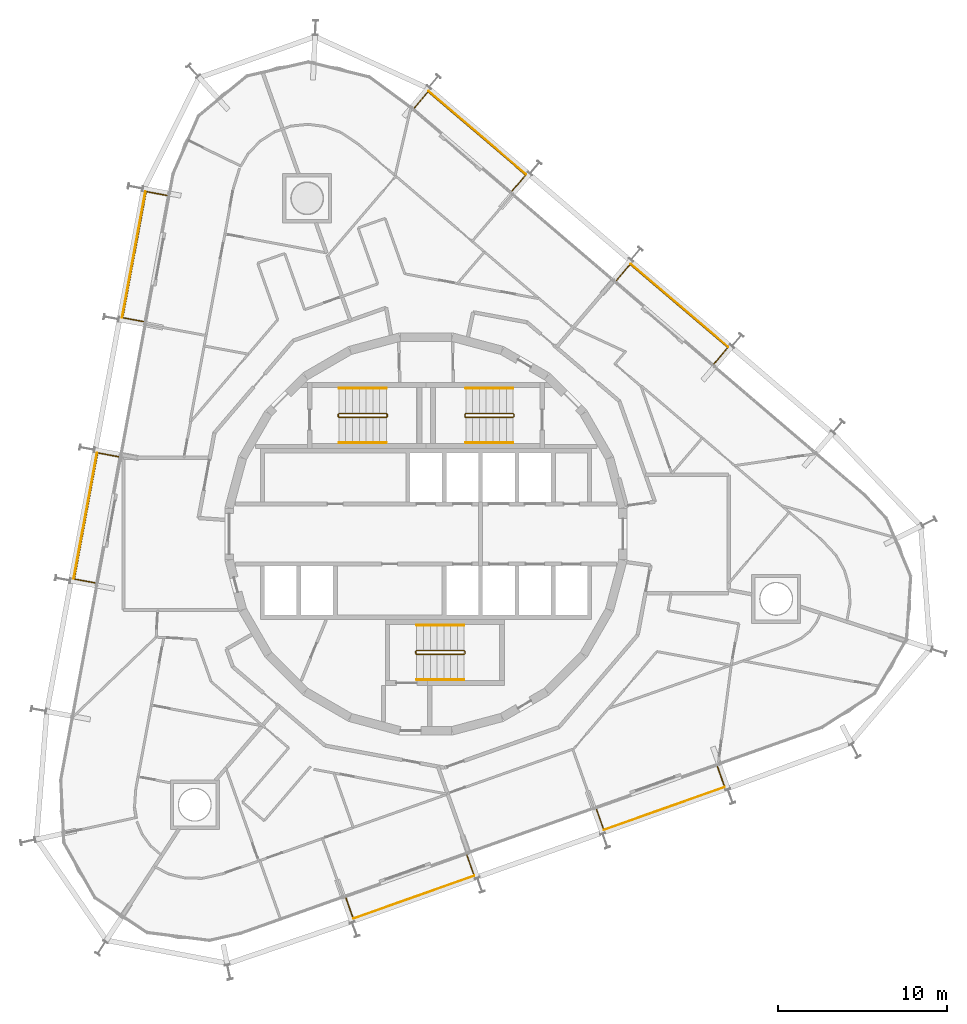
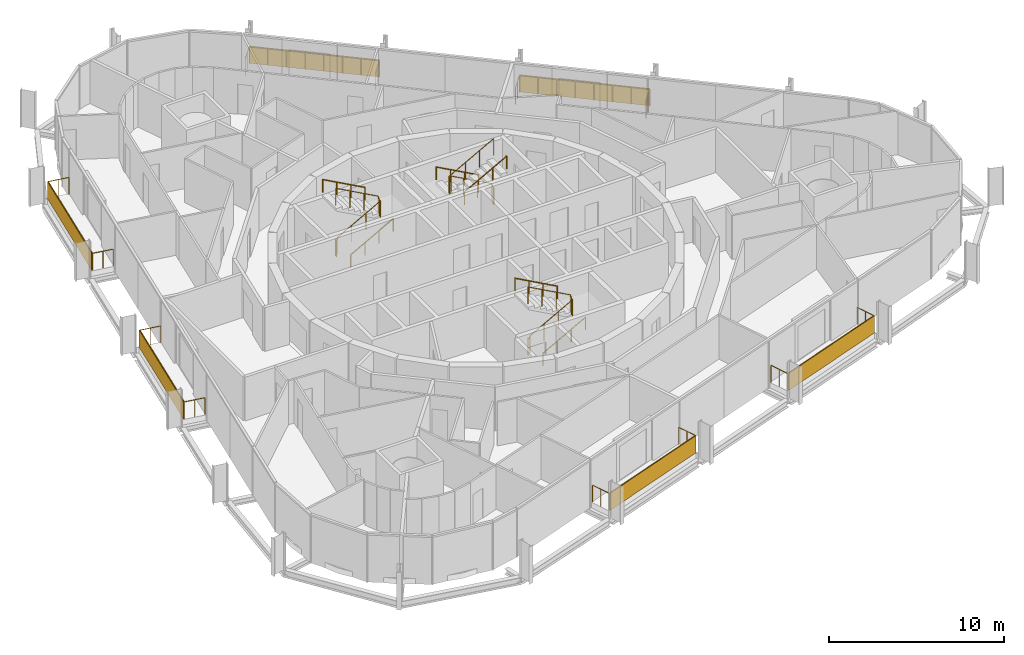
# One storey, part 17 of 17: 15 railings, 6 shading devices.
"""IFC4 building model written with IfcOpenShell, lengths in metres."""

from ifc_helpers import new_model, si_unit, direction, frame, origin, origin_2d, place, context, subcontext, project, spatial, rectangle, circle, extrude, material, layer, layer_set, type_object, element, save


model = new_model("IFC4")

# Units and contexts
model_context = context("Model", 3, precision=1e-05, world=origin(), true_north=direction((0.0, 1.0)))
body_context = subcontext(model_context, "Body", "Model", "MODEL_VIEW")
ifc_project = project(units=[si_unit("LENGTHUNIT", "METRE"), si_unit("AREAUNIT", "SQUARE_METRE"), si_unit("VOLUMEUNIT", "CUBIC_METRE"), si_unit("PLANEANGLEUNIT", "RADIAN"), si_unit("MASSUNIT", "GRAM", prefix="KILO")], contexts=[model_context])

# Site, building, storey
site_placement = place(None, origin())
site = spatial("IfcSite", under=ifc_project, at=site_placement, CompositionType="ELEMENT")
building_placement = place(site_placement, origin())
building = spatial("IfcBuilding", under=site, at=building_placement, Name="Spindle Arch Residences", CompositionType="ELEMENT")
storey_placement = place(building_placement, frame((0.0, 0.0, 179.699951171875)))
storey = spatial("IfcBuildingStorey", under=building, at=storey_placement, Name="L45", CompositionType="ELEMENT", Elevation=179.699951171875)

# Railings
ifc_material_1 = material(Name="Bronze anodised aluminium guard with glass infill", Category="aluminium")
railing_type_1 = type_object("IfcRailingType", Name="Balcony guard 1200", PredefinedType="GUARDRAIL", material=ifc_material_1)
railing_1_placement = place(storey_placement, frame((10.081787109375, -16.2919921875, 0.0)))
element("IfcRailing", 1, at=railing_1_placement, inside=storey, type_object=railing_type_1, Name="Guard L45 bay 1", PredefinedType="GUARDRAIL", context=body_context, shape_type="SweptSolid", body=[
    extrude(circle(Radius=0.02392578125, at=origin_2d()), frame((0.0, 0.0, 1.17578125), z_axis=(0.333749533427, -0.942661789263, 0.0), x_axis=(0.942661789263, 0.333749533427, 0.0)), (0.0, 0.0, 1.0), 1.250244140625),
    extrude(circle(Radius=0.02392578125, at=origin_2d()), frame((0.417236328125, -1.178466796875, 1.17578125), z_axis=(0.942639455571, 0.333812607313, 0.0), x_axis=(-0.333812607313, 0.942639455571, 0.0)), (0.0, 0.0, 1.0), 7.590087890625),
    extrude(circle(Radius=0.02392578125, at=origin_2d()), frame((7.572021484375, 1.355224609375, 1.17578125), z_axis=(-0.333984527886, 0.942578556478, 0.0), x_axis=(-0.942578556478, -0.333984527886, 0.0)), (0.0, 0.0, 1.0), 1.25),
    extrude(circle(Radius=0.02099609375, at=origin_2d()), origin(), (0.0, 0.0, 1.0), 1.15185546875),
    extrude(circle(Radius=0.02099609375, at=origin_2d()), frame((0.20849609375, -0.58935546875, 0.0)), (0.0, 0.0, 1.0), 1.15185546875),
    extrude(circle(Radius=0.02099609375, at=origin_2d()), frame((0.417236328125, -1.178466796875, 0.0)), (0.0, 0.0, 1.0), 1.15185546875),
    extrude(circle(Radius=0.02099609375, at=origin_2d()), frame((1.439453125, -0.81640625, 0.0)), (0.0, 0.0, 1.0), 1.15185546875),
    extrude(circle(Radius=0.02099609375, at=origin_2d()), frame((2.46142578125, -0.45458984375, 0.0)), (0.0, 0.0, 1.0), 1.15185546875),
    extrude(circle(Radius=0.02099609375, at=origin_2d()), frame((3.483642578125, -0.092529296875, 0.0)), (0.0, 0.0, 1.0), 1.15185546875),
    extrude(circle(Radius=0.02099609375, at=origin_2d()), frame((4.505615234375, 0.269287109375, 0.0)), (0.0, 0.0, 1.0), 1.15185546875),
    extrude(circle(Radius=0.02099609375, at=origin_2d()), frame((5.52783203125, 0.63134765625, 0.0)), (0.0, 0.0, 1.0), 1.15185546875),
    extrude(circle(Radius=0.02099609375, at=origin_2d()), frame((6.5498046875, 0.9931640625, 0.0)), (0.0, 0.0, 1.0), 1.15185546875),
    extrude(circle(Radius=0.02099609375, at=origin_2d()), frame((7.572021484375, 1.355224609375, 0.0)), (0.0, 0.0, 1.0), 1.15185546875),
    extrude(circle(Radius=0.02099609375, at=origin_2d()), frame((7.36328125, 1.9443359375, 0.0)), (0.0, 0.0, 1.0), 1.15185546875),
    extrude(circle(Radius=0.02099609375, at=origin_2d()), frame((7.154541015625, 2.533447265625, 0.0)), (0.0, 0.0, 1.0), 1.15185546875),
])
railing_2_placement = place(storey_placement, frame((17.03759765625, 10.07080078125, 0.0)))
element("IfcRailing", 2, at=railing_2_placement, inside=storey, type_object=railing_type_1, Name="Guard L45 bay 7", PredefinedType="GUARDRAIL", context=body_context, shape_type="SweptSolid", body=[
    extrude(circle(Radius=0.02392578125, at=origin_2d()), frame((0.0, 0.0, 1.17578125), z_axis=(0.64945526422, 0.760399802589, 0.0), x_axis=(-0.760399802589, 0.64945526422, 0.0)), (0.0, 0.0, 1.0), 1.25),
    extrude(circle(Radius=0.02392578125, at=origin_2d()), frame((0.811767578125, 0.950439453125, 1.17578125), z_axis=(-0.760397505333, 0.649457953899, 0.0), x_axis=(-0.649457953899, -0.760397505333, 0.0)), (0.0, 0.0, 1.0), 7.590087890625),
    extrude(circle(Radius=0.02392578125, at=origin_2d()), frame((-4.959716796875, 5.8798828125, 1.17578125), z_axis=(-0.64945526422, -0.760399802589, 0.0), x_axis=(0.760399802589, -0.64945526422, 0.0)), (0.0, 0.0, 1.0), 1.25),
    extrude(circle(Radius=0.02099609375, at=origin_2d()), origin(), (0.0, 0.0, 1.0), 1.15185546875),
    extrude(circle(Radius=0.02099609375, at=origin_2d()), frame((0.40576171875, 0.47509765625, 0.0)), (0.0, 0.0, 1.0), 1.15185546875),
    extrude(circle(Radius=0.02099609375, at=origin_2d()), frame((0.811767578125, 0.950439453125, 0.0)), (0.0, 0.0, 1.0), 1.15185546875),
    extrude(circle(Radius=0.02099609375, at=origin_2d()), frame((-0.0126953125, 1.654541015625, 0.0)), (0.0, 0.0, 1.0), 1.15185546875),
    extrude(circle(Radius=0.02099609375, at=origin_2d()), frame((-0.837158203125, 2.35888671875, 0.0)), (0.0, 0.0, 1.0), 1.15185546875),
    extrude(circle(Radius=0.02099609375, at=origin_2d()), frame((-1.66162109375, 3.06298828125, 0.0)), (0.0, 0.0, 1.0), 1.15185546875),
    extrude(circle(Radius=0.02099609375, at=origin_2d()), frame((-2.486328125, 3.767333984375, 0.0)), (0.0, 0.0, 1.0), 1.15185546875),
    extrude(circle(Radius=0.02099609375, at=origin_2d()), frame((-3.310791015625, 4.471435546875, 0.0)), (0.0, 0.0, 1.0), 1.15185546875),
    extrude(circle(Radius=0.02099609375, at=origin_2d()), frame((-4.13525390625, 5.17578125, 0.0)), (0.0, 0.0, 1.0), 1.15185546875),
    extrude(circle(Radius=0.02099609375, at=origin_2d()), frame((-4.959716796875, 5.8798828125, 0.0)), (0.0, 0.0, 1.0), 1.15185546875),
    extrude(circle(Radius=0.02099609375, at=origin_2d()), frame((-5.36572265625, 5.40478515625, 0.0)), (0.0, 0.0, 1.0), 1.15185546875),
    extrude(circle(Radius=0.02099609375, at=origin_2d()), frame((-5.771484375, 4.929443359375, 0.0)), (0.0, 0.0, 1.0), 1.15185546875),
])
railing_3_placement = place(storey_placement, frame((5.083984375, 20.2802734375, 0.0)))
element("IfcRailing", 3, at=railing_3_placement, inside=storey, type_object=railing_type_1, Name="Guard L45 bay 9", PredefinedType="GUARDRAIL", context=body_context, shape_type="SweptSolid", body=[
    extrude(circle(Radius=0.02392578125, at=origin_2d()), frame((0.0, 0.0, 1.17578125), z_axis=(0.64945526422, 0.760399802589, 0.0), x_axis=(-0.760399802589, 0.64945526422, 0.0)), (0.0, 0.0, 1.0), 1.25),
    extrude(circle(Radius=0.02392578125, at=origin_2d()), frame((0.811767578125, 0.950439453125, 1.17578125), z_axis=(-0.760397505333, 0.649457953899, 0.0), x_axis=(-0.649457953899, -0.760397505333, 0.0)), (0.0, 0.0, 1.0), 7.590087890625),
    extrude(circle(Radius=0.02392578125, at=origin_2d()), frame((-4.959716796875, 5.8798828125, 1.17578125), z_axis=(-0.649358812972, -0.760482170741, 0.0), x_axis=(0.760482170741, -0.649358812972, 0.0)), (0.0, 0.0, 1.0), 1.25),
    extrude(circle(Radius=0.02099609375, at=origin_2d()), origin(), (0.0, 0.0, 1.0), 1.15185546875),
    extrude(circle(Radius=0.02099609375, at=origin_2d()), frame((0.40576171875, 0.47509765625, 0.0)), (0.0, 0.0, 1.0), 1.15185546875),
    extrude(circle(Radius=0.02099609375, at=origin_2d()), frame((0.811767578125, 0.950439453125, 0.0)), (0.0, 0.0, 1.0), 1.15185546875),
    extrude(circle(Radius=0.02099609375, at=origin_2d()), frame((-0.0126953125, 1.654541015625, 0.0)), (0.0, 0.0, 1.0), 1.15185546875),
    extrude(circle(Radius=0.02099609375, at=origin_2d()), frame((-0.837158203125, 2.35888671875, 0.0)), (0.0, 0.0, 1.0), 1.15185546875),
    extrude(circle(Radius=0.02099609375, at=origin_2d()), frame((-1.66162109375, 3.06298828125, 0.0)), (0.0, 0.0, 1.0), 1.15185546875),
    extrude(circle(Radius=0.02099609375, at=origin_2d()), frame((-2.486328125, 3.767333984375, 0.0)), (0.0, 0.0, 1.0), 1.15185546875),
    extrude(circle(Radius=0.02099609375, at=origin_2d()), frame((-3.310791015625, 4.471435546875, 0.0)), (0.0, 0.0, 1.0), 1.15185546875),
    extrude(circle(Radius=0.02099609375, at=origin_2d()), frame((-4.13525390625, 5.17578125, 0.0)), (0.0, 0.0, 1.0), 1.15185546875),
    extrude(circle(Radius=0.02099609375, at=origin_2d()), frame((-4.959716796875, 5.8798828125, 0.0)), (0.0, 0.0, 1.0), 1.15185546875),
    extrude(circle(Radius=0.02099609375, at=origin_2d()), frame((-5.36572265625, 5.404541015625, 0.0)), (0.0, 0.0, 1.0), 1.15185546875),
    extrude(circle(Radius=0.02099609375, at=origin_2d()), frame((-5.771484375, 4.92919921875, 0.0)), (0.0, 0.0, 1.0), 1.15185546875),
])
railing_4_placement = place(storey_placement, frame((-15.33056640625, 20.024169921875, 0.0)))
element("IfcRailing", 4, at=railing_4_placement, inside=storey, type_object=railing_type_1, Name="Guard L45 bay 13", PredefinedType="GUARDRAIL", context=body_context, shape_type="SweptSolid", body=[
    extrude(circle(Radius=0.02392578125, at=origin_2d()), frame((0.0, 0.0, 1.17578125), z_axis=(-0.983254793894, 0.182236138797, 0.0), x_axis=(-0.182236138797, -0.983254793894, 0.0)), (0.0, 0.0, 1.0), 1.25),
    extrude(circle(Radius=0.02392578125, at=origin_2d()), frame((-1.22900390625, 0.227783203125, 1.17578125), z_axis=(-0.182252818169, -0.983251702398, 0.0), x_axis=(0.983251702398, -0.182252818169, 0.0)), (0.0, 0.0, 1.0), 7.590087890625),
    extrude(circle(Radius=0.02392578125, at=origin_2d()), frame((-2.6123046875, -7.235107421875, 1.17578125), z_axis=(0.983261278697, -0.182201146579, 0.0), x_axis=(0.182201146579, 0.983261278697, 0.0)), (0.0, 0.0, 1.0), 1.250244140625),
    extrude(circle(Radius=0.02099609375, at=origin_2d()), origin(), (0.0, 0.0, 1.0), 1.15185546875),
    extrude(circle(Radius=0.02099609375, at=origin_2d()), frame((-0.614501953125, 0.11376953125, 0.0)), (0.0, 0.0, 1.0), 1.15185546875),
    extrude(circle(Radius=0.02099609375, at=origin_2d()), frame((-1.22900390625, 0.227783203125, 0.0)), (0.0, 0.0, 1.0), 1.15185546875),
    extrude(circle(Radius=0.02099609375, at=origin_2d()), frame((-1.426513671875, -0.83837890625, 0.0)), (0.0, 0.0, 1.0), 1.15185546875),
    extrude(circle(Radius=0.02099609375, at=origin_2d()), frame((-1.624267578125, -1.904541015625, 0.0)), (0.0, 0.0, 1.0), 1.15185546875),
    extrude(circle(Radius=0.02099609375, at=origin_2d()), frame((-1.82177734375, -2.970703125, 0.0)), (0.0, 0.0, 1.0), 1.15185546875),
    extrude(circle(Radius=0.02099609375, at=origin_2d()), frame((-2.01953125, -4.03662109375, 0.0)), (0.0, 0.0, 1.0), 1.15185546875),
    extrude(circle(Radius=0.02099609375, at=origin_2d()), frame((-2.217041015625, -5.102783203125, 0.0)), (0.0, 0.0, 1.0), 1.15185546875),
    extrude(circle(Radius=0.02099609375, at=origin_2d()), frame((-2.414794921875, -6.1689453125, 0.0)), (0.0, 0.0, 1.0), 1.15185546875),
    extrude(circle(Radius=0.02099609375, at=origin_2d()), frame((-2.6123046875, -7.235107421875, 0.0)), (0.0, 0.0, 1.0), 1.15185546875),
    extrude(circle(Radius=0.02099609375, at=origin_2d()), frame((-1.99755859375, -7.34912109375, 0.0)), (0.0, 0.0, 1.0), 1.15185546875),
    extrude(circle(Radius=0.02099609375, at=origin_2d()), frame((-1.383056640625, -7.462890625, 0.0)), (0.0, 0.0, 1.0), 1.15185546875),
])
railing_5_placement = place(storey_placement, frame((-18.1953125, 4.5673828125, 0.0)))
element("IfcRailing", 5, at=railing_5_placement, inside=storey, type_object=railing_type_1, Name="Guard L45 bay 15", PredefinedType="GUARDRAIL", context=body_context, shape_type="SweptSolid", body=[
    extrude(circle(Radius=0.02392578125, at=origin_2d()), frame((0.0, 0.0, 1.17578125), z_axis=(-0.983254793894, 0.182236138797, 0.0), x_axis=(-0.182236138797, -0.983254793894, 0.0)), (0.0, 0.0, 1.0), 1.25),
    extrude(circle(Radius=0.02392578125, at=origin_2d()), frame((-1.22900390625, 0.227783203125, 1.17578125), z_axis=(-0.18224705418, -0.983252770778, 0.0), x_axis=(0.983252770778, -0.18224705418, 0.0)), (0.0, 0.0, 1.0), 7.59033203125),
    extrude(circle(Radius=0.02392578125, at=origin_2d()), frame((-2.6123046875, -7.2353515625, 1.17578125), z_axis=(0.983261278697, -0.182201146579, 0.0), x_axis=(0.182201146579, 0.983261278697, 0.0)), (0.0, 0.0, 1.0), 1.250244140625),
    extrude(circle(Radius=0.02099609375, at=origin_2d()), origin(), (0.0, 0.0, 1.0), 1.15185546875),
    extrude(circle(Radius=0.02099609375, at=origin_2d()), frame((-0.614501953125, 0.11376953125, 0.0)), (0.0, 0.0, 1.0), 1.15185546875),
    extrude(circle(Radius=0.02099609375, at=origin_2d()), frame((-1.22900390625, 0.227783203125, 0.0)), (0.0, 0.0, 1.0), 1.15185546875),
    extrude(circle(Radius=0.02099609375, at=origin_2d()), frame((-1.426513671875, -0.83837890625, 0.0)), (0.0, 0.0, 1.0), 1.15185546875),
    extrude(circle(Radius=0.02099609375, at=origin_2d()), frame((-1.624267578125, -1.904541015625, 0.0)), (0.0, 0.0, 1.0), 1.15185546875),
    extrude(circle(Radius=0.02099609375, at=origin_2d()), frame((-1.82177734375, -2.970703125, 0.0)), (0.0, 0.0, 1.0), 1.15185546875),
    extrude(circle(Radius=0.02099609375, at=origin_2d()), frame((-2.01953125, -4.036865234375, 0.0)), (0.0, 0.0, 1.0), 1.15185546875),
    extrude(circle(Radius=0.02099609375, at=origin_2d()), frame((-2.217041015625, -5.10302734375, 0.0)), (0.0, 0.0, 1.0), 1.15185546875),
    extrude(circle(Radius=0.02099609375, at=origin_2d()), frame((-2.414794921875, -6.169189453125, 0.0)), (0.0, 0.0, 1.0), 1.15185546875),
    extrude(circle(Radius=0.02099609375, at=origin_2d()), frame((-2.6123046875, -7.2353515625, 0.0)), (0.0, 0.0, 1.0), 1.15185546875),
    extrude(circle(Radius=0.02099609375, at=origin_2d()), frame((-1.99755859375, -7.34912109375, 0.0)), (0.0, 0.0, 1.0), 1.15185546875),
    extrude(circle(Radius=0.02099609375, at=origin_2d()), frame((-1.383056640625, -7.463134765625, 0.0)), (0.0, 0.0, 1.0), 1.15185546875),
])
railing_6_placement = place(storey_placement, frame((-4.73681640625, -21.53955078125, 0.0)))
element("IfcRailing", 6, at=railing_6_placement, inside=storey, type_object=railing_type_1, Name="Guard L45 bay 21", PredefinedType="GUARDRAIL", context=body_context, shape_type="SweptSolid", body=[
    extrude(circle(Radius=0.02392578125, at=origin_2d()), frame((0.0, 0.0, 1.17578125), z_axis=(0.333810984592, -0.942640030216, 0.0), x_axis=(0.942640030216, 0.333810984592, 0.0)), (0.0, 0.0, 1.0), 1.25),
    extrude(circle(Radius=0.02392578125, at=origin_2d()), frame((0.417236328125, -1.17822265625, 1.17578125), z_axis=(0.942649576572, 0.333784025663, 0.0), x_axis=(-0.333784025663, 0.942649576572, 0.0)), (0.0, 0.0, 1.0), 7.590087890625),
    extrude(circle(Radius=0.02392578125, at=origin_2d()), frame((7.572021484375, 1.355224609375, 1.17578125), z_axis=(-0.333749533427, 0.942661789263, 0.0), x_axis=(-0.942661789263, -0.333749533427, 0.0)), (0.0, 0.0, 1.0), 1.250244140625),
    extrude(circle(Radius=0.02099609375, at=origin_2d()), origin(), (0.0, 0.0, 1.0), 1.15185546875),
    extrude(circle(Radius=0.02099609375, at=origin_2d()), frame((0.20849609375, -0.589111328125, 0.0)), (0.0, 0.0, 1.0), 1.15185546875),
    extrude(circle(Radius=0.02099609375, at=origin_2d()), frame((0.417236328125, -1.17822265625, 0.0)), (0.0, 0.0, 1.0), 1.15185546875),
    extrude(circle(Radius=0.02099609375, at=origin_2d()), frame((1.439453125, -0.81640625, 0.0)), (0.0, 0.0, 1.0), 1.15185546875),
    extrude(circle(Radius=0.02099609375, at=origin_2d()), frame((2.46142578125, -0.454345703125, 0.0)), (0.0, 0.0, 1.0), 1.15185546875),
    extrude(circle(Radius=0.02099609375, at=origin_2d()), frame((3.483642578125, -0.092529296875, 0.0)), (0.0, 0.0, 1.0), 1.15185546875),
    extrude(circle(Radius=0.02099609375, at=origin_2d()), frame((4.505615234375, 0.26953125, 0.0)), (0.0, 0.0, 1.0), 1.15185546875),
    extrude(circle(Radius=0.02099609375, at=origin_2d()), frame((5.52783203125, 0.63134765625, 0.0)), (0.0, 0.0, 1.0), 1.15185546875),
    extrude(circle(Radius=0.02099609375, at=origin_2d()), frame((6.5498046875, 0.993408203125, 0.0)), (0.0, 0.0, 1.0), 1.15185546875),
    extrude(circle(Radius=0.02099609375, at=origin_2d()), frame((7.572021484375, 1.355224609375, 0.0)), (0.0, 0.0, 1.0), 1.15185546875),
    extrude(circle(Radius=0.02099609375, at=origin_2d()), frame((7.36328125, 1.9443359375, 0.0)), (0.0, 0.0, 1.0), 1.15185546875),
    extrude(circle(Radius=0.02099609375, at=origin_2d()), frame((7.15478515625, 2.53369140625, 0.0)), (0.0, 0.0, 1.0), 1.15185546875),
])

# Shading devices
ifc_material_2 = material(Name="Bronze perforated cobogo screen")
ifc_layer = layer(ifc_material_2, 0.0390625)
ifc_layer_set = layer_set([ifc_layer], Name="Cobogo screen 1200")
shading_device_type = type_object("IfcShadingDeviceType", Name="Cobogo screen 1200", PredefinedType="USERDEFINED", material=ifc_layer_set)
for number, where, z_axis, x_axis, name in (
    (7, (14.08984375, -16.24169921875, 0.0), (0.0, 0.0, 1.0), (0.942641491092, 0.333806859234, 0.0), "Cobogo screen L45 bay 1"),
    (8, (14.989990234375, 13.516845703125, 0.0), (0.0, 0.0, 1.0), (-0.7604059656, 0.64944804833, 0.0), "Cobogo screen L45 bay 7"),
    (9, (3.036376953125, 23.726318359375, 0.0), (0.0, 0.0, 1.0), (-0.7604059656, 0.64944804833, 0.0), "Cobogo screen L45 bay 9"),
    (10, (-17.291015625, 16.52783203125, 0.0), (0.0, 0.0, 1.0), (-0.182235525492, -0.983254907564, 0.0), "Cobogo screen L45 bay 13"),
    (11, (-20.15576171875, 1.071044921875, 0.0), (0.0, 0.0, 1.0), (-0.182235525492, -0.983254907564, 0.0), "Cobogo screen L45 bay 15"),
    (12, (-0.728515625, -21.4892578125, 0.0), (0.0, 0.0, 1.0), (0.942641491092, 0.333806859234, 0.0), "Cobogo screen L45 bay 21"),
):
    element("IfcShadingDevice", number, at=place(storey_placement, frame(where, z_axis=z_axis, x_axis=x_axis)), inside=storey, type_object=shading_device_type, Name=name, ObjectType="SCREEN", PredefinedType="USERDEFINED", context=body_context, shape_type="SweptSolid", body=[
        extrude(rectangle(XDim=7.590087890625, YDim=0.0390625, at=origin_2d()), origin(), (0.0, 0.0, 1.0), 1.199951171875),
    ])

# Railings
ifc_material_3 = material(Name="Steel, painted", Category="steel")
railing_type_2 = type_object("IfcRailingType", Name="Stair guard 1100", PredefinedType="GUARDRAIL", material=ifc_material_3)
railing_7_placement = place(storey_placement, frame((5.14990234375, 6.89990234375, 3.5)))
element("IfcRailing", 13, at=railing_7_placement, inside=storey, type_object=railing_type_2, Name="L45 ST1 stair guard 1", PredefinedType="GUARDRAIL", context=body_context, shape_type="SweptSolid", body=[
    extrude(circle(Radius=0.02392578125, at=origin_2d()), frame((0.0, 0.0, 1.17578125), z_axis=(-0.877357048833, 0.0, -0.479838106931), x_axis=(0.0, -1.0, 0.0)), (0.0, 0.0, 1.0), 3.191162109375),
    extrude(circle(Radius=0.02392578125, at=origin_2d()), frame((-2.7998046875, 0.0, -0.35546875), z_axis=(-0.217683172539, 0.217683172539, -0.951434744366), x_axis=(-0.707106781187, -0.707106781187, 0.0)), (0.0, 0.0, 1.0), 0.22998046875),
    extrude(circle(Radius=0.02392578125, at=origin_2d()), frame((-2.849853515625, 0.050048828125, -0.57421875), z_axis=(0.0, 1.0, 0.0), x_axis=(-1.0, 0.0, 0.0)), (0.0, 0.0, 1.0), 0.1201171875),
    extrude(circle(Radius=0.02392578125, at=origin_2d()), frame((-2.849853515625, 0.170166015625, -0.57421875), z_axis=(0.707106781187, 0.707106781187, 0.0), x_axis=(-0.707106781187, 0.707106781187, 0.0)), (0.0, 0.0, 1.0), 0.07080078125),
    extrude(circle(Radius=0.02392578125, at=origin_2d()), frame((-2.7998046875, 0.22021484375, -0.57421875), z_axis=(0.877357048833, 0.0, -0.479838106931), x_axis=(0.0, 1.0, 0.0)), (0.0, 0.0, 1.0), 3.191162109375),
    extrude(circle(Radius=0.02392578125, at=origin_2d()), frame((0.0, 0.22021484375, -2.10546875), z_axis=(0.217683172539, -0.217683172539, -0.951434744366), x_axis=(0.707106781187, 0.707106781187, 0.0)), (0.0, 0.0, 1.0), 0.22998046875),
    extrude(circle(Radius=0.02392578125, at=origin_2d()), frame((0.050048828125, 0.170166015625, -2.32421875), z_axis=(0.0, -1.0, 0.0), x_axis=(1.0, 0.0, 0.0)), (0.0, 0.0, 1.0), 0.1201171875),
    extrude(circle(Radius=0.02099609375, at=origin_2d()), origin(), (0.0, 0.0, 1.0), 1.15185546875),
    extrude(circle(Radius=0.02099609375, at=origin_2d()), frame((-0.933349609375, 0.0, -0.510498046875)), (0.0, 0.0, 1.0), 1.15185546875),
    extrude(circle(Radius=0.02099609375, at=origin_2d()), frame((-1.866455078125, 0.0, -1.020751953125)), (0.0, 0.0, 1.0), 1.15185546875),
    extrude(circle(Radius=0.02099609375, at=origin_2d()), frame((-2.7998046875, 0.0, -1.53125)), (0.0, 0.0, 1.0), 1.15185546875),
    extrude(circle(Radius=0.02099609375, at=origin_2d()), frame((-2.849853515625, 0.050048828125, -1.75)), (0.0, 0.0, 1.0), 1.15185546875),
    extrude(circle(Radius=0.02099609375, at=origin_2d()), frame((-2.849853515625, 0.170166015625, -1.75)), (0.0, 0.0, 1.0), 1.15185546875),
    extrude(circle(Radius=0.02099609375, at=origin_2d()), frame((-2.7998046875, 0.22021484375, -1.75)), (0.0, 0.0, 1.0), 1.15185546875),
    extrude(circle(Radius=0.02099609375, at=origin_2d()), frame((-1.866455078125, 0.22021484375, -2.260498046875)), (0.0, 0.0, 1.0), 1.15185546875),
    extrude(circle(Radius=0.02099609375, at=origin_2d()), frame((-0.933349609375, 0.22021484375, -2.770751953125)), (0.0, 0.0, 1.0), 1.15185546875),
    extrude(circle(Radius=0.02099609375, at=origin_2d()), frame((0.0, 0.22021484375, -3.28125)), (0.0, 0.0, 1.0), 1.15185546875),
    extrude(circle(Radius=0.02099609375, at=origin_2d()), frame((0.050048828125, 0.170166015625, -3.5)), (0.0, 0.0, 1.0), 1.15185546875),
    extrude(circle(Radius=0.02099609375, at=origin_2d()), frame((0.050048828125, 0.050048828125, -3.5)), (0.0, 0.0, 1.0), 1.15185546875),
])
railing_8_placement = place(storey_placement, frame((-5.14990234375, 7.1201171875, 3.5)))
element("IfcRailing", 14, at=railing_8_placement, inside=storey, type_object=railing_type_2, Name="L45 ST2 stair guard 1", PredefinedType="GUARDRAIL", context=body_context, shape_type="SweptSolid", body=[
    extrude(circle(Radius=0.02392578125, at=origin_2d()), frame((0.0, 0.0, 1.17578125), z_axis=(0.877357048833, 0.0, -0.479838106931), x_axis=(0.0, 1.0, 0.0)), (0.0, 0.0, 1.0), 3.191162109375),
    extrude(circle(Radius=0.02392578125, at=origin_2d()), frame((2.7998046875, 0.0, -0.35546875), z_axis=(0.217683172539, -0.217683172539, -0.951434744366), x_axis=(0.707106781187, 0.707106781187, 0.0)), (0.0, 0.0, 1.0), 0.22998046875),
    extrude(circle(Radius=0.02392578125, at=origin_2d()), frame((2.849853515625, -0.050048828125, -0.57421875), z_axis=(0.0, -1.0, 0.0), x_axis=(1.0, 0.0, 0.0)), (0.0, 0.0, 1.0), 0.1201171875),
    extrude(circle(Radius=0.02392578125, at=origin_2d()), frame((2.849853515625, -0.170166015625, -0.57421875), z_axis=(-0.707106781187, -0.707106781187, 0.0), x_axis=(0.707106781187, -0.707106781187, 0.0)), (0.0, 0.0, 1.0), 0.07080078125),
    extrude(circle(Radius=0.02392578125, at=origin_2d()), frame((2.7998046875, -0.22021484375, -0.57421875), z_axis=(-0.877357048833, 0.0, -0.479838106931), x_axis=(0.0, -1.0, 0.0)), (0.0, 0.0, 1.0), 3.191162109375),
    extrude(circle(Radius=0.02392578125, at=origin_2d()), frame((0.0, -0.22021484375, -2.10546875), z_axis=(-0.217683172539, 0.217683172539, -0.951434744366), x_axis=(-0.707106781187, -0.707106781187, 0.0)), (0.0, 0.0, 1.0), 0.22998046875),
    extrude(circle(Radius=0.02392578125, at=origin_2d()), frame((-0.050048828125, -0.170166015625, -2.32421875), z_axis=(0.0, 1.0, 0.0), x_axis=(-1.0, 0.0, 0.0)), (0.0, 0.0, 1.0), 0.1201171875),
    extrude(circle(Radius=0.02099609375, at=origin_2d()), origin(), (0.0, 0.0, 1.0), 1.15185546875),
    extrude(circle(Radius=0.02099609375, at=origin_2d()), frame((0.933349609375, 0.0, -0.510498046875)), (0.0, 0.0, 1.0), 1.15185546875),
    extrude(circle(Radius=0.02099609375, at=origin_2d()), frame((1.866455078125, 0.0, -1.020751953125)), (0.0, 0.0, 1.0), 1.15185546875),
    extrude(circle(Radius=0.02099609375, at=origin_2d()), frame((2.7998046875, 0.0, -1.53125)), (0.0, 0.0, 1.0), 1.15185546875),
    extrude(circle(Radius=0.02099609375, at=origin_2d()), frame((2.849853515625, -0.050048828125, -1.75)), (0.0, 0.0, 1.0), 1.15185546875),
    extrude(circle(Radius=0.02099609375, at=origin_2d()), frame((2.849853515625, -0.170166015625, -1.75)), (0.0, 0.0, 1.0), 1.15185546875),
    extrude(circle(Radius=0.02099609375, at=origin_2d()), frame((2.7998046875, -0.22021484375, -1.75)), (0.0, 0.0, 1.0), 1.15185546875),
    extrude(circle(Radius=0.02099609375, at=origin_2d()), frame((1.866455078125, -0.22021484375, -2.260498046875)), (0.0, 0.0, 1.0), 1.15185546875),
    extrude(circle(Radius=0.02099609375, at=origin_2d()), frame((0.933349609375, -0.22021484375, -2.770751953125)), (0.0, 0.0, 1.0), 1.15185546875),
    extrude(circle(Radius=0.02099609375, at=origin_2d()), frame((0.0, -0.22021484375, -3.28125)), (0.0, 0.0, 1.0), 1.15185546875),
    extrude(circle(Radius=0.02099609375, at=origin_2d()), frame((-0.050048828125, -0.170166015625, -3.5)), (0.0, 0.0, 1.0), 1.15185546875),
    extrude(circle(Radius=0.02099609375, at=origin_2d()), frame((-0.050048828125, -0.050048828125, -3.5)), (0.0, 0.0, 1.0), 1.15185546875),
])
railing_9_placement = place(storey_placement, frame((-0.550048828125, -6.89990234375, 3.5)))
element("IfcRailing", 15, at=railing_9_placement, inside=storey, type_object=railing_type_2, Name="L45 ST3 stair guard 1", PredefinedType="GUARDRAIL", context=body_context, shape_type="SweptSolid", body=[
    extrude(circle(Radius=0.02392578125, at=origin_2d()), frame((0.0, 0.0, 1.17578125), z_axis=(0.877374661878, 0.0, -0.479805901063), x_axis=(0.0, 1.0, 0.0)), (0.0, 0.0, 1.0), 3.19140625),
    extrude(circle(Radius=0.02392578125, at=origin_2d()), frame((2.800048828125, 0.0, -0.35546875), z_axis=(0.217683172539, -0.217683172539, -0.951434744366), x_axis=(0.707106781187, 0.707106781187, 0.0)), (0.0, 0.0, 1.0), 0.22998046875),
    extrude(circle(Radius=0.02392578125, at=origin_2d()), frame((2.85009765625, -0.050048828125, -0.57421875), z_axis=(0.0, -1.0, 0.0), x_axis=(1.0, 0.0, 0.0)), (0.0, 0.0, 1.0), 0.1201171875),
    extrude(circle(Radius=0.02392578125, at=origin_2d()), frame((2.85009765625, -0.170166015625, -0.57421875), z_axis=(-0.707106781187, -0.707106781187, 0.0), x_axis=(0.707106781187, -0.707106781187, 0.0)), (0.0, 0.0, 1.0), 0.07080078125),
    extrude(circle(Radius=0.02392578125, at=origin_2d()), frame((2.800048828125, -0.22021484375, -0.57421875), z_axis=(-0.877374661878, 0.0, -0.479805901063), x_axis=(0.0, -1.0, 0.0)), (0.0, 0.0, 1.0), 3.19140625),
    extrude(circle(Radius=0.02392578125, at=origin_2d()), frame((0.0, -0.22021484375, -2.10546875), z_axis=(-0.217683172539, 0.217683172539, -0.951434744366), x_axis=(-0.707106781187, -0.707106781187, 0.0)), (0.0, 0.0, 1.0), 0.22998046875),
    extrude(circle(Radius=0.02392578125, at=origin_2d()), frame((-0.050048828125, -0.170166015625, -2.32421875), z_axis=(0.0, 1.0, 0.0), x_axis=(-1.0, 0.0, 0.0)), (0.0, 0.0, 1.0), 0.1201171875),
    extrude(circle(Radius=0.02099609375, at=origin_2d()), origin(), (0.0, 0.0, 1.0), 1.15185546875),
    extrude(circle(Radius=0.02099609375, at=origin_2d()), frame((0.933349609375, 0.0, -0.510498046875)), (0.0, 0.0, 1.0), 1.15185546875),
    extrude(circle(Radius=0.02099609375, at=origin_2d()), frame((1.86669921875, 0.0, -1.020751953125)), (0.0, 0.0, 1.0), 1.15185546875),
    extrude(circle(Radius=0.02099609375, at=origin_2d()), frame((2.800048828125, 0.0, -1.53125)), (0.0, 0.0, 1.0), 1.15185546875),
    extrude(circle(Radius=0.02099609375, at=origin_2d()), frame((2.85009765625, -0.050048828125, -1.75)), (0.0, 0.0, 1.0), 1.15185546875),
    extrude(circle(Radius=0.02099609375, at=origin_2d()), frame((2.85009765625, -0.170166015625, -1.75)), (0.0, 0.0, 1.0), 1.15185546875),
    extrude(circle(Radius=0.02099609375, at=origin_2d()), frame((2.800048828125, -0.22021484375, -1.75)), (0.0, 0.0, 1.0), 1.15185546875),
    extrude(circle(Radius=0.02099609375, at=origin_2d()), frame((1.86669921875, -0.22021484375, -2.260498046875)), (0.0, 0.0, 1.0), 1.15185546875),
    extrude(circle(Radius=0.02099609375, at=origin_2d()), frame((0.933349609375, -0.22021484375, -2.770751953125)), (0.0, 0.0, 1.0), 1.15185546875),
    extrude(circle(Radius=0.02099609375, at=origin_2d()), frame((0.0, -0.22021484375, -3.28125)), (0.0, 0.0, 1.0), 1.15185546875),
    extrude(circle(Radius=0.02099609375, at=origin_2d()), frame((-0.050048828125, -0.170166015625, -3.5)), (0.0, 0.0, 1.0), 1.15185546875),
    extrude(circle(Radius=0.02099609375, at=origin_2d()), frame((-0.050048828125, -0.050048828125, -3.5)), (0.0, 0.0, 1.0), 1.15185546875),
])
ifc_material_4 = material(Name="Steel, painted", Category="steel")
railing_type_3 = type_object("IfcRailingType", Name="Stair handrail 900", PredefinedType="HANDRAIL", material=ifc_material_4)
railing_10_placement = place(storey_placement, frame((5.14990234375, 8.6201171875, 0.21875)))
element("IfcRailing", 16, at=railing_10_placement, inside=storey, type_object=railing_type_3, Name="L45 ST1 stair handrail 1", PredefinedType="HANDRAIL", context=body_context, shape_type="SweptSolid", body=[
    extrude(circle(Radius=0.02392578125, at=origin_2d()), frame((0.0, 0.0, 0.8759765625), z_axis=(-0.877357048833, 0.0, 0.479838106931), x_axis=(0.0, -1.0, 0.0)), (0.0, 0.0, 1.0), 3.191162109375),
    extrude(circle(Radius=0.02099609375, at=origin_2d()), origin(), (0.0, 0.0, 1.0), 0.851806640625),
    extrude(circle(Radius=0.02099609375, at=origin_2d()), frame((-0.933349609375, 0.0, 0.510498046875)), (0.0, 0.0, 1.0), 0.851806640625),
    extrude(circle(Radius=0.02099609375, at=origin_2d()), frame((-1.866455078125, 0.0, 1.020751953125)), (0.0, 0.0, 1.0), 0.851806640625),
    extrude(circle(Radius=0.02099609375, at=origin_2d()), frame((-2.7998046875, 0.0, 1.53125)), (0.0, 0.0, 1.0), 0.851806640625),
])
for number, where, name in (
    (17, (2.35009765625, 5.39990234375, 1.96875), "L45 ST1 stair handrail 2"),
    (18, (-5.14990234375, 5.39990234375, 0.21875), "L45 ST2 stair handrail 1"),
):
    element("IfcRailing", number, at=place(storey_placement, frame(where)), inside=storey, type_object=railing_type_3, Name=name, PredefinedType="HANDRAIL", context=body_context, shape_type="SweptSolid", body=[
        extrude(circle(Radius=0.02392578125, at=origin_2d()), frame((0.0, 0.0, 0.8759765625), z_axis=(0.877357048833, 0.0, 0.479838106931), x_axis=(0.0, 1.0, 0.0)), (0.0, 0.0, 1.0), 3.191162109375),
        extrude(circle(Radius=0.02099609375, at=origin_2d()), origin(), (0.0, 0.0, 1.0), 0.851806640625),
        extrude(circle(Radius=0.02099609375, at=origin_2d()), frame((0.933349609375, 0.0, 0.510498046875)), (0.0, 0.0, 1.0), 0.851806640625),
        extrude(circle(Radius=0.02099609375, at=origin_2d()), frame((1.866455078125, 0.0, 1.020751953125)), (0.0, 0.0, 1.0), 0.851806640625),
        extrude(circle(Radius=0.02099609375, at=origin_2d()), frame((2.7998046875, 0.0, 1.53125)), (0.0, 0.0, 1.0), 0.851806640625),
    ])
railing_11_placement = place(storey_placement, frame((-2.35009765625, 8.6201171875, 1.96875)))
element("IfcRailing", 19, at=railing_11_placement, inside=storey, type_object=railing_type_3, Name="L45 ST2 stair handrail 2", PredefinedType="HANDRAIL", context=body_context, shape_type="SweptSolid", body=[
    extrude(circle(Radius=0.02392578125, at=origin_2d()), frame((0.0, 0.0, 0.8759765625), z_axis=(-0.877357048833, 0.0, 0.479838106931), x_axis=(0.0, -1.0, 0.0)), (0.0, 0.0, 1.0), 3.191162109375),
    extrude(circle(Radius=0.02099609375, at=origin_2d()), origin(), (0.0, 0.0, 1.0), 0.851806640625),
    extrude(circle(Radius=0.02099609375, at=origin_2d()), frame((-0.933349609375, 0.0, 0.510498046875)), (0.0, 0.0, 1.0), 0.851806640625),
    extrude(circle(Radius=0.02099609375, at=origin_2d()), frame((-1.866455078125, 0.0, 1.020751953125)), (0.0, 0.0, 1.0), 0.851806640625),
    extrude(circle(Radius=0.02099609375, at=origin_2d()), frame((-2.7998046875, 0.0, 1.53125)), (0.0, 0.0, 1.0), 0.851806640625),
])
railing_12_placement = place(storey_placement, frame((-0.550048828125, -8.6201171875, 0.21875)))
element("IfcRailing", 20, at=railing_12_placement, inside=storey, type_object=railing_type_3, Name="L45 ST3 stair handrail 1", PredefinedType="HANDRAIL", context=body_context, shape_type="SweptSolid", body=[
    extrude(circle(Radius=0.02392578125, at=origin_2d()), frame((0.0, 0.0, 0.8759765625), z_axis=(0.877374661878, 0.0, 0.479805901063), x_axis=(0.0, 1.0, 0.0)), (0.0, 0.0, 1.0), 3.19140625),
    extrude(circle(Radius=0.02099609375, at=origin_2d()), origin(), (0.0, 0.0, 1.0), 0.851806640625),
    extrude(circle(Radius=0.02099609375, at=origin_2d()), frame((0.933349609375, 0.0, 0.510498046875)), (0.0, 0.0, 1.0), 0.851806640625),
    extrude(circle(Radius=0.02099609375, at=origin_2d()), frame((1.86669921875, 0.0, 1.020751953125)), (0.0, 0.0, 1.0), 0.851806640625),
    extrude(circle(Radius=0.02099609375, at=origin_2d()), frame((2.800048828125, 0.0, 1.53125)), (0.0, 0.0, 1.0), 0.851806640625),
])
railing_13_placement = place(storey_placement, frame((2.25, -5.39990234375, 1.96875)))
element("IfcRailing", 21, at=railing_13_placement, inside=storey, type_object=railing_type_3, Name="L45 ST3 stair handrail 2", PredefinedType="HANDRAIL", context=body_context, shape_type="SweptSolid", body=[
    extrude(circle(Radius=0.02392578125, at=origin_2d()), frame((0.0, 0.0, 0.8759765625), z_axis=(-0.877374661878, 0.0, 0.479805901063), x_axis=(0.0, -1.0, 0.0)), (0.0, 0.0, 1.0), 3.19140625),
    extrude(circle(Radius=0.02099609375, at=origin_2d()), origin(), (0.0, 0.0, 1.0), 0.851806640625),
    extrude(circle(Radius=0.02099609375, at=origin_2d()), frame((-0.933349609375, 0.0, 0.510498046875)), (0.0, 0.0, 1.0), 0.851806640625),
    extrude(circle(Radius=0.02099609375, at=origin_2d()), frame((-1.86669921875, 0.0, 1.020751953125)), (0.0, 0.0, 1.0), 0.851806640625),
    extrude(circle(Radius=0.02099609375, at=origin_2d()), frame((-2.800048828125, 0.0, 1.53125)), (0.0, 0.0, 1.0), 0.851806640625),
])

save(model, "model.ifc")
